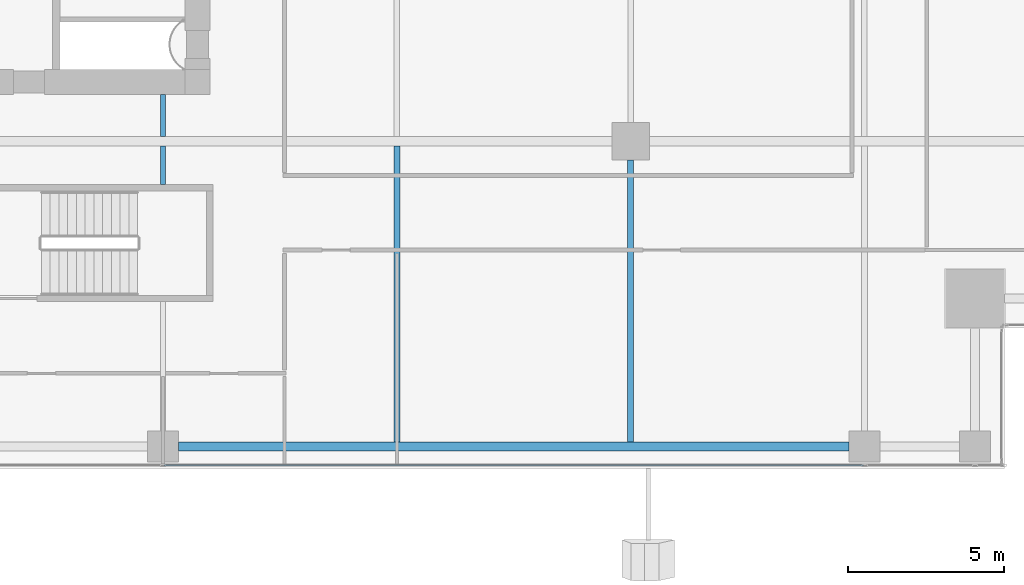
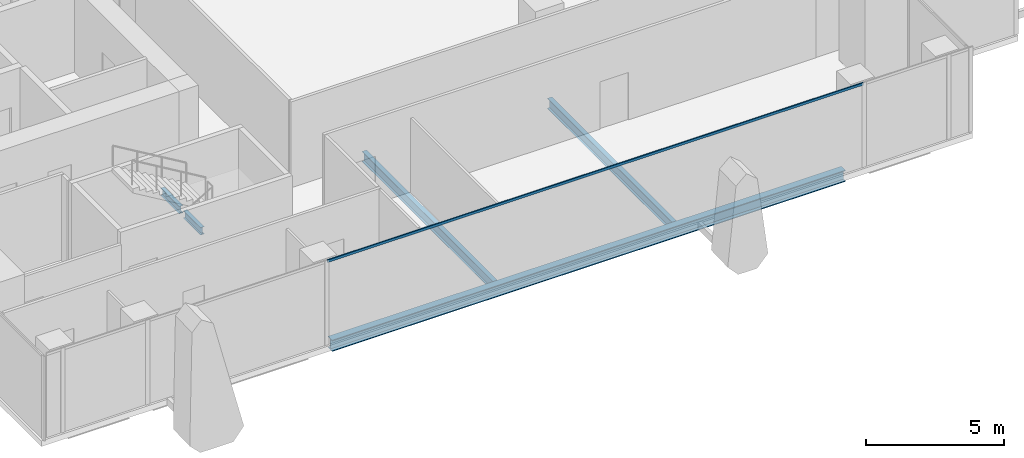
# One storey, part 7 of 38: 5 beams, 1 member, 1 element without a shape of its own.
"""IFC4 building model written with IfcOpenShell, lengths in metres."""

from ifc_helpers import new_model, si_unit, direction, frame, origin, origin_2d, place, context, subcontext, project, spatial, hollow_rectangle, i_section, extrude, source, transform, mapped, material, material_profile, profile_set, type_object, element, aggregate, save


model = new_model("IFC4")

# Units and contexts
model_context = context("Model", 3, precision=1e-05, world=origin(), true_north=direction((0.0, 1.0)))
body_context = subcontext(model_context, "Body", "Model", "MODEL_VIEW")
ifc_project = project(units=[si_unit("LENGTHUNIT", "METRE"), si_unit("AREAUNIT", "SQUARE_METRE"), si_unit("VOLUMEUNIT", "CUBIC_METRE"), si_unit("PLANEANGLEUNIT", "RADIAN"), si_unit("MASSUNIT", "GRAM", prefix="KILO")], contexts=[model_context])

# Site, building, storey
site_placement = place(None, origin())
site = spatial("IfcSite", under=ifc_project, at=site_placement, CompositionType="ELEMENT")
building_placement = place(site_placement, origin())
building = spatial("IfcBuilding", under=site, at=building_placement, Name="Khomas Fold Tower", CompositionType="ELEMENT")
storey_placement = place(building_placement, frame((0.0, 0.0, 208.699951171875)))
storey = spatial("IfcBuildingStorey", under=building, at=storey_placement, Name="L46", CompositionType="ELEMENT", Elevation=208.699951171875)

# Beams
ifc_material_1 = material(Name="Steel S355", Category="steel")
ifc_material_profile_1 = material_profile(ifc_material_1, i_section(OverallWidth=0.159912109375, OverallDepth=0.330078125, WebThickness=0.007568359375, FlangeThickness=0.011474609375, at=origin_2d()), Name="IPE 330")
ifc_profile_set_1 = profile_set([ifc_material_profile_1], Name="Steel S355")
beam_type_1 = type_object("IfcBeamType", Name="IPE 330 beam JB1", PredefinedType="BEAM", material=ifc_profile_set_1)
shared_shape_1 = source(origin(), body_context, "Body", "SweptSolid", [
    extrude(i_section(OverallWidth=0.159912109375, OverallDepth=0.330078125, WebThickness=0.007568359375, FlangeThickness=0.011474609375, at=origin_2d()), origin(), (0.0, 0.0, 1.0), 1.25),
])
beam_1_placement = place(storey_placement, frame((19.5, 12.10009765625, -0.4150390625), z_axis=(0.0, 1.0, 0.0), x_axis=(-1.0, 0.0, 0.0)))
element("IfcBeam", 1, at=beam_1_placement, inside=storey, type_object=beam_type_1, Name="JB1", PredefinedType="BEAM", context=body_context, shape_type="MappedRepresentation", body=[
    mapped(shared_shape_1, transform((0.0, 0.0, 0.0))),
])
ifc_material_2 = material(Name="Steel S355", Category="steel")
ifc_material_profile_2 = material_profile(ifc_material_2, i_section(OverallWidth=0.300048828125, OverallDepth=0.5, WebThickness=0.014404296875, FlangeThickness=0.028076171875, at=origin_2d()), Name="HE 500 B")
ifc_profile_set_2 = profile_set([ifc_material_profile_2], Name="Steel S355")
beam_type_2 = type_object("IfcBeamType", Name="HE 500 B spandrel SB3", PredefinedType="SPANDREL", material=ifc_profile_set_2)
shared_shape_2 = source(origin(), body_context, "Body", "SweptSolid", [
    extrude(i_section(OverallWidth=0.300048828125, OverallDepth=0.5, WebThickness=0.014404296875, FlangeThickness=0.028076171875, at=origin_2d()), origin(), (0.0, 0.0, 1.0), 21.5),
])
beam_2_placement = place(storey_placement, frame((20.0, 3.699951171875, -0.5), z_axis=(1.0, 0.0, 0.0), x_axis=(0.0, 1.0, 0.0)))
element("IfcBeam", 2, at=beam_2_placement, inside=storey, type_object=beam_type_2, Name="SB3", PredefinedType="SPANDREL", context=body_context, shape_type="MappedRepresentation", body=[
    mapped(shared_shape_2, transform((0.0, 0.0, 0.0))),
])
ifc_material_3 = material(Name="Steel S355", Category="steel")
ifc_material_profile_3 = material_profile(ifc_material_3, i_section(OverallWidth=0.18994140625, OverallDepth=0.449951171875, WebThickness=0.009521484375, FlangeThickness=0.0146484375, at=origin_2d()), Name="IPE 450")
ifc_profile_set_3 = profile_set([ifc_material_profile_3], Name="Steel S355")
beam_type_3 = type_object("IfcBeamType", Name="IPE 450 beam JB4", PredefinedType="BEAM", material=ifc_profile_set_3)
shared_shape_3 = source(origin(), body_context, "Body", "SweptSolid", [
    extrude(i_section(OverallWidth=0.18994140625, OverallDepth=0.449951171875, WebThickness=0.009521484375, FlangeThickness=0.0146484375, at=origin_2d()), origin(), (0.0, 0.0, 1.0), 9.5),
])
beam_3_placement = place(storey_placement, frame((27.0, 3.85009765625, -0.474853515625), z_axis=(0.0, 1.0, 0.0), x_axis=(-1.0, 0.0, 0.0)))
element("IfcBeam", 3, at=beam_3_placement, inside=storey, type_object=beam_type_3, Name="JB4", PredefinedType="BEAM", context=body_context, shape_type="MappedRepresentation", body=[
    mapped(shared_shape_3, transform((0.0, 0.0, 0.0))),
])
shared_shape_4 = source(origin(), body_context, "Body", "SweptSolid", [
    extrude(i_section(OverallWidth=0.159912109375, OverallDepth=0.330078125, WebThickness=0.007568359375, FlangeThickness=0.011474609375, at=origin_2d()), origin(), (0.0, 0.0, 1.0), 1.35009765625),
])
beam_4_placement = place(storey_placement, frame((19.5, 13.64990234375, -0.4150390625), z_axis=(0.0, 1.0, 0.0), x_axis=(-1.0, 0.0, 0.0)))
element("IfcBeam", 4, at=beam_4_placement, inside=storey, type_object=beam_type_1, Name="JB1", PredefinedType="BEAM", context=body_context, shape_type="MappedRepresentation", body=[
    mapped(shared_shape_4, transform((0.0, 0.0, 0.0))),
])
shared_shape_5 = source(origin(), body_context, "Body", "SweptSolid", [
    extrude(i_section(OverallWidth=0.18994140625, OverallDepth=0.449951171875, WebThickness=0.009521484375, FlangeThickness=0.0146484375, at=origin_2d()), origin(), (0.0, 0.0, 1.0), 9.0498046875),
])
beam_5_placement = place(storey_placement, frame((34.5, 3.85009765625, -0.474853515625), z_axis=(0.0, 1.0, 0.0), x_axis=(-1.0, 0.0, 0.0)))
element("IfcBeam", 5, at=beam_5_placement, inside=storey, type_object=beam_type_3, Name="JB4", PredefinedType="BEAM", context=body_context, shape_type="MappedRepresentation", body=[
    mapped(shared_shape_5, transform((0.0, 0.0, 0.0))),
])

# Curtain wall, member
ifc_material_4 = material(Name="Aluminium framed double glazing", Category="aluminium")
curtain_wall_type = type_object("IfcCurtainWallType", Name="SK-Unitised clear-glass wall, office floors CW2", PredefinedType="NOTDEFINED", material=ifc_material_4)
curtain_wall_placement = place(storey_placement, origin())
curtain_wall = element("IfcCurtainWall", 6, at=curtain_wall_placement, inside=storey, type_object=curtain_wall_type, Name="CW2 run L46 00-0", PredefinedType="NOTDEFINED")
ifc_material_5 = material(Name="Aluminium", Category="aluminium")
ifc_material_profile_4 = material_profile(ifc_material_5, hollow_rectangle(XDim=0.050048828125, YDim=0.110107421875, WallThickness=0.00390625, at=origin_2d()), Name="SK-Unitised clear-glass wall, office floors transom CW2-T")
ifc_profile_set_4 = profile_set([ifc_material_profile_4], Name="Aluminium")
member_type = type_object("IfcMemberType", Name="SK-Unitised clear-glass wall, office floors transom CW2-T", PredefinedType="USERDEFINED", material=ifc_profile_set_4)
shared_shape_6 = source(origin(), body_context, "Body", "SweptSolid", [
    extrude(hollow_rectangle(XDim=0.050048828125, YDim=0.110107421875, WallThickness=0.00390625, at=origin_2d()), origin(), (0.0, 0.0, 1.0), 22.43994140625),
])
member_placement = place(storey_placement, frame((19.530029296875, 3.10009765625, 3.695068359375), z_axis=(1.0, 0.0, 0.0), x_axis=(0.0, 1.0, 0.0)))
member = element("IfcMember", 7, at=member_placement, type_object=member_type, Name="CW2 transom 4", ObjectType="TRANSOM", PredefinedType="USERDEFINED", context=body_context, shape_type="MappedRepresentation", body=[
    mapped(shared_shape_6, transform((0.0, 0.0, 0.0))),
])
aggregate(curtain_wall, [member])

save(model, "model.ifc")
